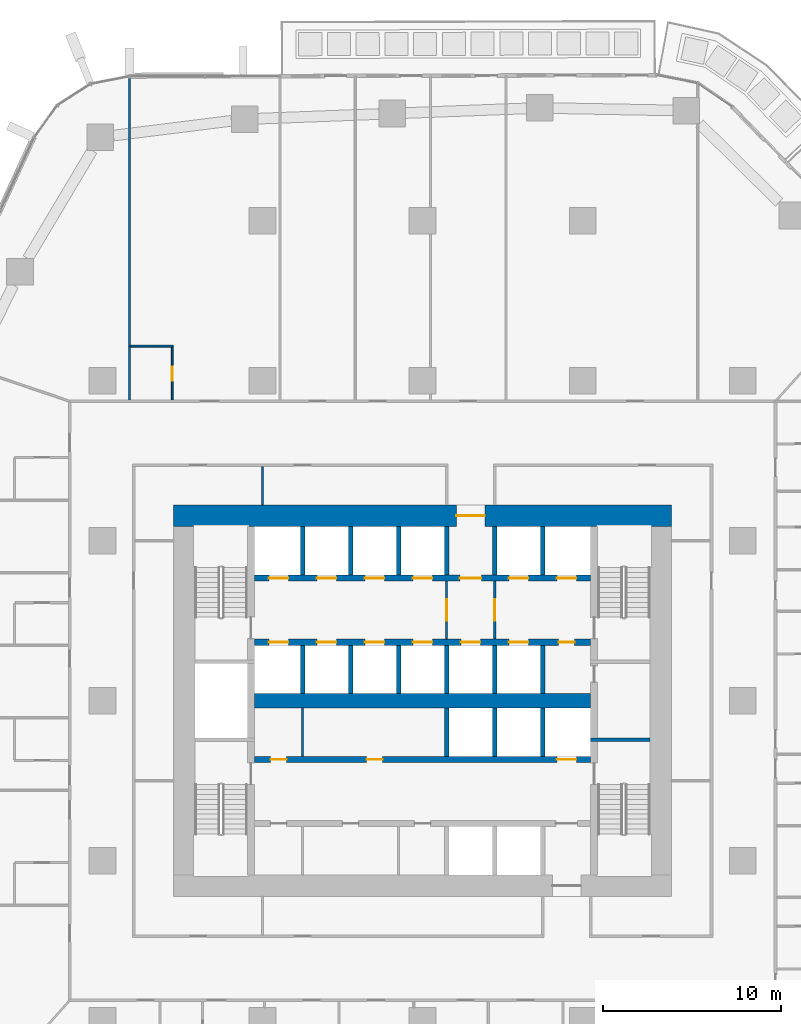
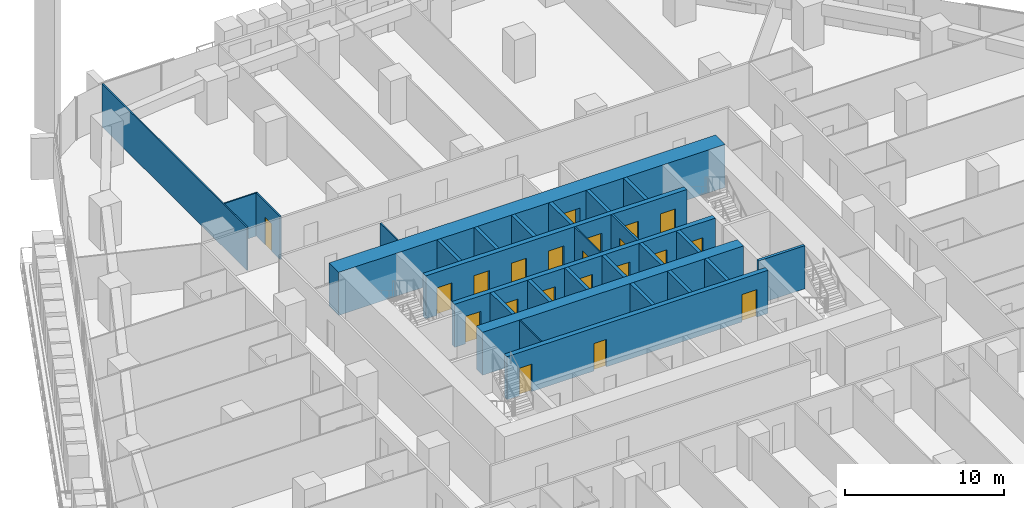
# One storey, part 16 of 27: 28 walls, 21 doors, 21 openings.
"""IFC4 building model written with IfcOpenShell, lengths in metres."""

from ifc_helpers import new_model, si_unit, direction, frame, frame_2d, origin, place, context, subcontext, project, spatial, rectangle, extrude, material, layer, layer_set, type_object, element, fill, save


model = new_model("IFC4")

# Units and contexts
model_context = context("Model", 3, precision=1e-05, world=origin(), true_north=direction((0.0, 1.0)))
body_context = subcontext(model_context, "Body", "Model", "MODEL_VIEW")
ifc_project = project(units=[si_unit("LENGTHUNIT", "METRE"), si_unit("AREAUNIT", "SQUARE_METRE"), si_unit("VOLUMEUNIT", "CUBIC_METRE"), si_unit("PLANEANGLEUNIT", "RADIAN"), si_unit("MASSUNIT", "GRAM", prefix="KILO")], contexts=[model_context])

# Site, building, storey
site_placement = place(None, origin())
site = spatial("IfcSite", under=ifc_project, at=site_placement, CompositionType="ELEMENT")
building_placement = place(site_placement, origin())
building = spatial("IfcBuilding", under=site, at=building_placement, Name="Dongbaek Canopy Tower", CompositionType="ELEMENT")
storey_placement = place(building_placement, frame((0.0, 0.0, 55.10009765625)))
storey = spatial("IfcBuildingStorey", under=building, at=storey_placement, Name="L09", CompositionType="ELEMENT", Elevation=55.10009765625)

# Wall
ifc_material_1 = material(Name="Concrete C60/75", Category="concrete")
ifc_layer_1 = layer(ifc_material_1, 0.800048828125)
ifc_layer_set_1 = layer_set([ifc_layer_1], Name="Core central wall 800 Concrete C60/75")
wall_type_1 = type_object("IfcWallType", Name="Core central wall 800 Concrete C60/75", PredefinedType="SHEAR", material=ifc_layer_set_1)
wall_1_placement = place(storey_placement, frame((-9.449951171875, 0.0, 0.0), z_axis=(0.0, 0.0, 1.0), x_axis=(1.0, 0.0, 0.0)))
element("IfcWall", 1, at=wall_1_placement, inside=storey, type_object=wall_type_1, Name="Core wall", PredefinedType="SHEAR", context=body_context, shape_type="SweptSolid", body=[
    extrude(rectangle(XDim=18.89990234375, YDim=0.800048828125, at=frame_2d((9.449951171875, 0.0))), origin(), (0.0, 0.0, 1.0), 3.2998046875),
])

# Wall, openings, doors
ifc_material_2 = material(Name="Concrete C60/75", Category="concrete")
ifc_layer_2 = layer(ifc_material_2, 0.35009765625)
ifc_layer_set_2 = layer_set([ifc_layer_2], Name="Core lobby wall 350 Concrete C60/75")
wall_type_2 = type_object("IfcWallType", Name="Core lobby wall 350 Concrete C60/75", PredefinedType="SHEAR", material=ifc_layer_set_2)
wall_2_placement = place(storey_placement, frame((-9.449951171875, 6.89990234375, 0.0), z_axis=(0.0, 0.0, 1.0), x_axis=(1.0, 0.0, 0.0)))
wall_2 = element("IfcWall", 2, at=wall_2_placement, inside=storey, type_object=wall_type_2, Name="Core wall", PredefinedType="SHEAR", context=body_context, shape_type="SweptSolid", body=[
    extrude(rectangle(XDim=18.89990234375, YDim=0.35009765625, at=frame_2d((9.449951171875, 0.0))), origin(), (0.0, 0.0, 1.0), 3.2998046875),
])
opening_1_placement = place(wall_2_placement, frame((0.800048828125, 0.0, 0.0)))
opening_1 = element("IfcOpeningElement", 3, at=opening_1_placement, cuts=wall_2, Name="Opening L09-D045", PredefinedType="OPENING", context=body_context, shape_type="SweptSolid", body=[
    extrude(rectangle(XDim=1.10009765625, YDim=2.10009765625, at=frame_2d((0.550048828125, 1.050048828125))), frame((0.0, 0.18505859375, 0.0), z_axis=(0.0, -1.0, 0.0), x_axis=(1.0, 0.0, 0.0)), (0.0, 0.0, 1.0), 0.3701171875),
])
opening_2_placement = place(wall_2_placement, frame((3.5, 0.0, 0.0)))
opening_2 = element("IfcOpeningElement", 4, at=opening_2_placement, cuts=wall_2, Name="Opening L09-D046", PredefinedType="OPENING", context=body_context, shape_type="SweptSolid", body=[
    extrude(rectangle(XDim=1.10009765625, YDim=2.10009765625, at=frame_2d((0.550048828125, 1.050048828125))), frame((0.0, 0.18505859375, 0.0), z_axis=(0.0, -1.0, 0.0), x_axis=(1.0, 0.0, 0.0)), (0.0, 0.0, 1.0), 0.3701171875),
])
opening_3_placement = place(wall_2_placement, frame((6.199951171875, 0.0, 0.0)))
opening_3 = element("IfcOpeningElement", 5, at=opening_3_placement, cuts=wall_2, Name="Opening L09-D047", PredefinedType="OPENING", context=body_context, shape_type="SweptSolid", body=[
    extrude(rectangle(XDim=1.10009765625, YDim=2.10009765625, at=frame_2d((0.550048828125, 1.050048828125))), frame((0.0, 0.18505859375, 0.0), z_axis=(0.0, -1.0, 0.0), x_axis=(1.0, 0.0, 0.0)), (0.0, 0.0, 1.0), 0.3701171875),
])
opening_4_placement = place(wall_2_placement, frame((8.89990234375, 0.0, 0.0)))
opening_4 = element("IfcOpeningElement", 6, at=opening_4_placement, cuts=wall_2, Name="Opening L09-D048", PredefinedType="OPENING", context=body_context, shape_type="SweptSolid", body=[
    extrude(rectangle(XDim=1.10009765625, YDim=2.10009765625, at=frame_2d((0.550048828125, 1.050048828125))), frame((0.0, 0.18505859375, 0.0), z_axis=(0.0, -1.0, 0.0), x_axis=(1.0, 0.0, 0.0)), (0.0, 0.0, 1.0), 0.3701171875),
])
opening_5_placement = place(wall_2_placement, frame((11.550048828125, 0.0, 0.0)))
opening_5 = element("IfcOpeningElement", 7, at=opening_5_placement, cuts=wall_2, Name="Opening L09-D050", PredefinedType="OPENING", context=body_context, shape_type="SweptSolid", body=[
    extrude(rectangle(XDim=1.199951171875, YDim=2.10009765625, at=frame_2d((0.60009765625, 1.050048828125))), frame((0.0, 0.18505859375, 0.0), z_axis=(0.0, -1.0, 0.0), x_axis=(1.0, 0.0, 0.0)), (0.0, 0.0, 1.0), 0.3701171875),
])
opening_6_placement = place(wall_2_placement, frame((14.300048828125, 0.0, 0.0)))
opening_6 = element("IfcOpeningElement", 8, at=opening_6_placement, cuts=wall_2, Name="Opening L09-D051", PredefinedType="OPENING", context=body_context, shape_type="SweptSolid", body=[
    extrude(rectangle(XDim=1.10009765625, YDim=2.10009765625, at=frame_2d((0.550048828125, 1.050048828125))), frame((0.0, 0.18505859375, 0.0), z_axis=(0.0, -1.0, 0.0), x_axis=(1.0, 0.0, 0.0)), (0.0, 0.0, 1.0), 0.3701171875),
])
opening_7_placement = place(wall_2_placement, frame((17.0, 0.0, 0.0)))
opening_7 = element("IfcOpeningElement", 9, at=opening_7_placement, cuts=wall_2, Name="Opening L09-D052", PredefinedType="OPENING", context=body_context, shape_type="SweptSolid", body=[
    extrude(rectangle(XDim=1.10009765625, YDim=2.10009765625, at=frame_2d((0.550048828125, 1.050048828125))), frame((0.0, 0.18505859375, 0.0), z_axis=(0.0, -1.0, 0.0), x_axis=(1.0, 0.0, 0.0)), (0.0, 0.0, 1.0), 0.3701171875),
])
ifc_material_3 = material(Name="Steel", Category="steel")
door_type_1 = type_object("IfcDoorType", Name="Fire lobby door 1200 x 2100", OperationType="SINGLE_SWING_LEFT", PredefinedType="DOOR", material=ifc_material_3)
door_1_placement = place(opening_5_placement, origin())
door_1 = element("IfcDoor", 10, at=door_1_placement, inside=storey, type_object=door_type_1, Name="Door L09-D050", OperationType="SINGLE_SWING_LEFT", OverallHeight=2.10009765625, OverallWidth=1.199951171875, PredefinedType="DOOR", context=body_context, shape_type="SweptSolid", body=[
    extrude(rectangle(XDim=1.199951171875, YDim=2.10009765625, at=frame_2d((0.60009765625, 1.050048828125))), frame((0.0, 0.02490234375, 0.0), z_axis=(0.0, -1.0, 0.0), x_axis=(1.0, 0.0, 0.0)), (0.0, 0.0, 1.0), 0.050048828125),
])
fill(opening_5, door_1)
ifc_material_4 = material(Name="Stainless steel", Category="steel")
door_type_2 = type_object("IfcDoorType", Name="Lift landing door 1100 x 2100", OperationType="DOUBLE_DOOR_SLIDING", PredefinedType="DOOR", material=ifc_material_4)
door_2_placement = place(opening_1_placement, origin())
door_2 = element("IfcDoor", 11, at=door_2_placement, inside=storey, type_object=door_type_2, Name="Landing door LR1", OperationType="DOUBLE_DOOR_SLIDING", OverallHeight=2.10009765625, OverallWidth=1.10009765625, PredefinedType="DOOR", context=body_context, shape_type="SweptSolid", body=[
    extrude(rectangle(XDim=1.10009765625, YDim=2.10009765625, at=frame_2d((0.550048828125, 1.050048828125))), frame((0.0, 0.02490234375, 0.0), z_axis=(0.0, -1.0, 0.0), x_axis=(1.0, 0.0, 0.0)), (0.0, 0.0, 1.0), 0.050048828125),
])
fill(opening_1, door_2)
door_3_placement = place(opening_2_placement, origin())
door_3 = element("IfcDoor", 12, at=door_3_placement, inside=storey, type_object=door_type_2, Name="Landing door LR2", OperationType="DOUBLE_DOOR_SLIDING", OverallHeight=2.10009765625, OverallWidth=1.10009765625, PredefinedType="DOOR", context=body_context, shape_type="SweptSolid", body=[
    extrude(rectangle(XDim=1.10009765625, YDim=2.10009765625, at=frame_2d((0.550048828125, 1.050048828125))), frame((0.0, 0.02490234375, 0.0), z_axis=(0.0, -1.0, 0.0), x_axis=(1.0, 0.0, 0.0)), (0.0, 0.0, 1.0), 0.050048828125),
])
fill(opening_2, door_3)
door_4_placement = place(opening_3_placement, origin())
door_4 = element("IfcDoor", 13, at=door_4_placement, inside=storey, type_object=door_type_2, Name="Landing door LR3", OperationType="DOUBLE_DOOR_SLIDING", OverallHeight=2.10009765625, OverallWidth=1.10009765625, PredefinedType="DOOR", context=body_context, shape_type="SweptSolid", body=[
    extrude(rectangle(XDim=1.10009765625, YDim=2.10009765625, at=frame_2d((0.550048828125, 1.050048828125))), frame((0.0, 0.02490234375, 0.0), z_axis=(0.0, -1.0, 0.0), x_axis=(1.0, 0.0, 0.0)), (0.0, 0.0, 1.0), 0.050048828125),
])
fill(opening_3, door_4)
door_5_placement = place(opening_4_placement, origin())
door_5 = element("IfcDoor", 14, at=door_5_placement, inside=storey, type_object=door_type_2, Name="Landing door LR4", OperationType="DOUBLE_DOOR_SLIDING", OverallHeight=2.10009765625, OverallWidth=1.10009765625, PredefinedType="DOOR", context=body_context, shape_type="SweptSolid", body=[
    extrude(rectangle(XDim=1.10009765625, YDim=2.10009765625, at=frame_2d((0.550048828125, 1.050048828125))), frame((0.0, 0.02490234375, 0.0), z_axis=(0.0, -1.0, 0.0), x_axis=(1.0, 0.0, 0.0)), (0.0, 0.0, 1.0), 0.050048828125),
])
fill(opening_4, door_5)
door_6_placement = place(opening_6_placement, origin())
door_6 = element("IfcDoor", 15, at=door_6_placement, inside=storey, type_object=door_type_2, Name="Landing door FF1", OperationType="DOUBLE_DOOR_SLIDING", OverallHeight=2.10009765625, OverallWidth=1.10009765625, PredefinedType="DOOR", context=body_context, shape_type="SweptSolid", body=[
    extrude(rectangle(XDim=1.10009765625, YDim=2.10009765625, at=frame_2d((0.550048828125, 1.050048828125))), frame((0.0, 0.02490234375, 0.0), z_axis=(0.0, -1.0, 0.0), x_axis=(1.0, 0.0, 0.0)), (0.0, 0.0, 1.0), 0.050048828125),
])
fill(opening_6, door_6)
door_7_placement = place(opening_7_placement, origin())
door_7 = element("IfcDoor", 16, at=door_7_placement, inside=storey, type_object=door_type_2, Name="Landing door FF2", OperationType="DOUBLE_DOOR_SLIDING", OverallHeight=2.10009765625, OverallWidth=1.10009765625, PredefinedType="DOOR", context=body_context, shape_type="SweptSolid", body=[
    extrude(rectangle(XDim=1.10009765625, YDim=2.10009765625, at=frame_2d((0.550048828125, 1.050048828125))), frame((0.0, 0.02490234375, 0.0), z_axis=(0.0, -1.0, 0.0), x_axis=(1.0, 0.0, 0.0)), (0.0, 0.0, 1.0), 0.050048828125),
])
fill(opening_7, door_7)

wall_3_placement = place(storey_placement, frame((9.449951171875, 3.300048828125, 0.0), z_axis=(0.0, 0.0, 1.0), x_axis=(-1.0, 0.0, 0.0)))
wall_3 = element("IfcWall", 17, at=wall_3_placement, inside=storey, type_object=wall_type_2, Name="Core wall", PredefinedType="SHEAR", context=body_context, shape_type="SweptSolid", body=[
    extrude(rectangle(XDim=18.89990234375, YDim=0.35009765625, at=frame_2d((9.449951171875, 0.0))), origin(), (0.0, 0.0, 1.0), 3.2998046875),
])
opening_8_placement = place(wall_3_placement, frame((17.0, 0.0, 0.0)))
opening_8 = element("IfcOpeningElement", 18, at=opening_8_placement, cuts=wall_3, Name="Opening L09-D053", PredefinedType="OPENING", context=body_context, shape_type="SweptSolid", body=[
    extrude(rectangle(XDim=1.10009765625, YDim=2.10009765625, at=frame_2d((0.550048828125, 1.050048828125))), frame((0.0, 0.18505859375, 0.0), z_axis=(0.0, -1.0, 0.0), x_axis=(1.0, 0.0, 0.0)), (0.0, 0.0, 1.0), 0.3701171875),
])
opening_9_placement = place(wall_3_placement, frame((14.300048828125, 0.0, 0.0)))
opening_9 = element("IfcOpeningElement", 19, at=opening_9_placement, cuts=wall_3, Name="Opening L09-D054", PredefinedType="OPENING", context=body_context, shape_type="SweptSolid", body=[
    extrude(rectangle(XDim=1.10009765625, YDim=2.10009765625, at=frame_2d((0.550048828125, 1.050048828125))), frame((0.0, 0.18505859375, 0.0), z_axis=(0.0, -1.0, 0.0), x_axis=(1.0, 0.0, 0.0)), (0.0, 0.0, 1.0), 0.3701171875),
])
opening_10_placement = place(wall_3_placement, frame((11.60009765625, 0.0, 0.0)))
opening_10 = element("IfcOpeningElement", 20, at=opening_10_placement, cuts=wall_3, Name="Opening L09-D055", PredefinedType="OPENING", context=body_context, shape_type="SweptSolid", body=[
    extrude(rectangle(XDim=1.10009765625, YDim=2.10009765625, at=frame_2d((0.550048828125, 1.050048828125))), frame((0.0, 0.18505859375, 0.0), z_axis=(0.0, -1.0, 0.0), x_axis=(1.0, 0.0, 0.0)), (0.0, 0.0, 1.0), 0.3701171875),
])
opening_11_placement = place(wall_3_placement, frame((8.89990234375, 0.0, 0.0)))
opening_11 = element("IfcOpeningElement", 21, at=opening_11_placement, cuts=wall_3, Name="Opening L09-D056", PredefinedType="OPENING", context=body_context, shape_type="SweptSolid", body=[
    extrude(rectangle(XDim=1.10009765625, YDim=2.10009765625, at=frame_2d((0.550048828125, 1.050048828125))), frame((0.0, 0.18505859375, 0.0), z_axis=(0.0, -1.0, 0.0), x_axis=(1.0, 0.0, 0.0)), (0.0, 0.0, 1.0), 0.3701171875),
])
opening_12_placement = place(wall_3_placement, frame((6.199951171875, 0.0, 0.0)))
opening_12 = element("IfcOpeningElement", 22, at=opening_12_placement, cuts=wall_3, Name="Opening L09-D057", PredefinedType="OPENING", context=body_context, shape_type="SweptSolid", body=[
    extrude(rectangle(XDim=1.10009765625, YDim=2.10009765625, at=frame_2d((0.550048828125, 1.050048828125))), frame((0.0, 0.18505859375, 0.0), z_axis=(0.0, -1.0, 0.0), x_axis=(1.0, 0.0, 0.0)), (0.0, 0.0, 1.0), 0.3701171875),
])
opening_13_placement = place(wall_3_placement, frame((3.5, 0.0, 0.0)))
opening_13 = element("IfcOpeningElement", 23, at=opening_13_placement, cuts=wall_3, Name="Opening L09-D058", PredefinedType="OPENING", context=body_context, shape_type="SweptSolid", body=[
    extrude(rectangle(XDim=1.10009765625, YDim=2.10009765625, at=frame_2d((0.550048828125, 1.050048828125))), frame((0.0, 0.18505859375, 0.0), z_axis=(0.0, -1.0, 0.0), x_axis=(1.0, 0.0, 0.0)), (0.0, 0.0, 1.0), 0.3701171875),
])
opening_14_placement = place(wall_3_placement, frame((0.89990234375, 0.0, 0.0)))
opening_14 = element("IfcOpeningElement", 24, at=opening_14_placement, cuts=wall_3, Name="Opening L09-D059", PredefinedType="OPENING", context=body_context, shape_type="SweptSolid", body=[
    extrude(rectangle(XDim=0.89990234375, YDim=2.10009765625, at=frame_2d((0.449951171875, 1.050048828125))), frame((0.0, 0.18505859375, 0.0), z_axis=(0.0, -1.0, 0.0), x_axis=(1.0, 0.0, 0.0)), (0.0, 0.0, 1.0), 0.3701171875),
])
ifc_material_5 = material(Name="Steel", Category="steel")
door_type_3 = type_object("IfcDoorType", Name="Core room door 900 x 2100", OperationType="SINGLE_SWING_LEFT", PredefinedType="DOOR", material=ifc_material_5)
door_8_placement = place(opening_14_placement, origin())
door_8 = element("IfcDoor", 25, at=door_8_placement, inside=storey, type_object=door_type_3, Name="Door L09-D059", OperationType="SINGLE_SWING_LEFT", OverallHeight=2.10009765625, OverallWidth=0.89990234375, PredefinedType="DOOR", context=body_context, shape_type="SweptSolid", body=[
    extrude(rectangle(XDim=0.89990234375, YDim=2.10009765625, at=frame_2d((0.449951171875, 1.050048828125))), frame((0.0, 0.02490234375, 0.0), z_axis=(0.0, -1.0, 0.0), x_axis=(1.0, 0.0, 0.0)), (0.0, 0.0, 1.0), 0.050048828125),
])
fill(opening_14, door_8)
door_9_placement = place(opening_8_placement, origin())
door_9 = element("IfcDoor", 26, at=door_9_placement, inside=storey, type_object=door_type_2, Name="Landing door LR5", OperationType="DOUBLE_DOOR_SLIDING", OverallHeight=2.10009765625, OverallWidth=1.10009765625, PredefinedType="DOOR", context=body_context, shape_type="SweptSolid", body=[
    extrude(rectangle(XDim=1.10009765625, YDim=2.10009765625, at=frame_2d((0.550048828125, 1.050048828125))), frame((0.0, 0.02490234375, 0.0), z_axis=(0.0, -1.0, 0.0), x_axis=(1.0, 0.0, 0.0)), (0.0, 0.0, 1.0), 0.050048828125),
])
fill(opening_8, door_9)
door_10_placement = place(opening_9_placement, origin())
door_10 = element("IfcDoor", 27, at=door_10_placement, inside=storey, type_object=door_type_2, Name="Landing door LR6", OperationType="DOUBLE_DOOR_SLIDING", OverallHeight=2.10009765625, OverallWidth=1.10009765625, PredefinedType="DOOR", context=body_context, shape_type="SweptSolid", body=[
    extrude(rectangle(XDim=1.10009765625, YDim=2.10009765625, at=frame_2d((0.550048828125, 1.050048828125))), frame((0.0, 0.02490234375, 0.0), z_axis=(0.0, -1.0, 0.0), x_axis=(1.0, 0.0, 0.0)), (0.0, 0.0, 1.0), 0.050048828125),
])
fill(opening_9, door_10)
door_11_placement = place(opening_10_placement, origin())
door_11 = element("IfcDoor", 28, at=door_11_placement, inside=storey, type_object=door_type_2, Name="Landing door LR7", OperationType="DOUBLE_DOOR_SLIDING", OverallHeight=2.10009765625, OverallWidth=1.10009765625, PredefinedType="DOOR", context=body_context, shape_type="SweptSolid", body=[
    extrude(rectangle(XDim=1.10009765625, YDim=2.10009765625, at=frame_2d((0.550048828125, 1.050048828125))), frame((0.0, 0.02490234375, 0.0), z_axis=(0.0, -1.0, 0.0), x_axis=(1.0, 0.0, 0.0)), (0.0, 0.0, 1.0), 0.050048828125),
])
fill(opening_10, door_11)
door_12_placement = place(opening_11_placement, origin())
door_12 = element("IfcDoor", 29, at=door_12_placement, inside=storey, type_object=door_type_2, Name="Landing door LR8", OperationType="DOUBLE_DOOR_SLIDING", OverallHeight=2.10009765625, OverallWidth=1.10009765625, PredefinedType="DOOR", context=body_context, shape_type="SweptSolid", body=[
    extrude(rectangle(XDim=1.10009765625, YDim=2.10009765625, at=frame_2d((0.550048828125, 1.050048828125))), frame((0.0, 0.02490234375, 0.0), z_axis=(0.0, -1.0, 0.0), x_axis=(1.0, 0.0, 0.0)), (0.0, 0.0, 1.0), 0.050048828125),
])
fill(opening_11, door_12)
door_13_placement = place(opening_12_placement, origin())
door_13 = element("IfcDoor", 30, at=door_13_placement, inside=storey, type_object=door_type_2, Name="Landing door SV1", OperationType="DOUBLE_DOOR_SLIDING", OverallHeight=2.10009765625, OverallWidth=1.10009765625, PredefinedType="DOOR", context=body_context, shape_type="SweptSolid", body=[
    extrude(rectangle(XDim=1.10009765625, YDim=2.10009765625, at=frame_2d((0.550048828125, 1.050048828125))), frame((0.0, 0.02490234375, 0.0), z_axis=(0.0, -1.0, 0.0), x_axis=(1.0, 0.0, 0.0)), (0.0, 0.0, 1.0), 0.050048828125),
])
fill(opening_12, door_13)
door_14_placement = place(opening_13_placement, origin())
door_14 = element("IfcDoor", 31, at=door_14_placement, inside=storey, type_object=door_type_2, Name="Landing door FF3", OperationType="DOUBLE_DOOR_SLIDING", OverallHeight=2.10009765625, OverallWidth=1.10009765625, PredefinedType="DOOR", context=body_context, shape_type="SweptSolid", body=[
    extrude(rectangle(XDim=1.10009765625, YDim=2.10009765625, at=frame_2d((0.550048828125, 1.050048828125))), frame((0.0, 0.02490234375, 0.0), z_axis=(0.0, -1.0, 0.0), x_axis=(1.0, 0.0, 0.0)), (0.0, 0.0, 1.0), 0.050048828125),
])
fill(opening_13, door_14)

wall_4_placement = place(storey_placement, frame((-9.449951171875, -3.300048828125, 0.0), z_axis=(0.0, 0.0, 1.0), x_axis=(1.0, 0.0, 0.0)))
wall_4 = element("IfcWall", 32, at=wall_4_placement, inside=storey, type_object=wall_type_2, Name="Core wall", PredefinedType="SHEAR", context=body_context, shape_type="SweptSolid", body=[
    extrude(rectangle(XDim=18.89990234375, YDim=0.35009765625, at=frame_2d((9.449951171875, 0.0))), origin(), (0.0, 0.0, 1.0), 3.2998046875),
])
opening_15_placement = place(wall_4_placement, frame((17.0, 0.0, 0.0)))
opening_15 = element("IfcOpeningElement", 33, at=opening_15_placement, cuts=wall_4, Name="Opening L09-D060", PredefinedType="OPENING", context=body_context, shape_type="SweptSolid", body=[
    extrude(rectangle(XDim=1.10009765625, YDim=2.10009765625, at=frame_2d((0.550048828125, 1.050048828125))), frame((0.0, 0.18505859375, 0.0), z_axis=(0.0, -1.0, 0.0), x_axis=(1.0, 0.0, 0.0)), (0.0, 0.0, 1.0), 0.3701171875),
])
opening_16_placement = place(wall_4_placement, frame((0.89990234375, 0.0, 0.0)))
opening_16 = element("IfcOpeningElement", 34, at=opening_16_placement, cuts=wall_4, Name="Opening L09-D063", PredefinedType="OPENING", context=body_context, shape_type="SweptSolid", body=[
    extrude(rectangle(XDim=0.89990234375, YDim=2.10009765625, at=frame_2d((0.449951171875, 1.050048828125))), frame((0.0, 0.18505859375, 0.0), z_axis=(0.0, -1.0, 0.0), x_axis=(1.0, 0.0, 0.0)), (0.0, 0.0, 1.0), 0.3701171875),
])
opening_17_placement = place(wall_4_placement, frame((6.300048828125, 0.0, 0.0)))
opening_17 = element("IfcOpeningElement", 35, at=opening_17_placement, cuts=wall_4, Name="Opening L09-D064", PredefinedType="OPENING", context=body_context, shape_type="SweptSolid", body=[
    extrude(rectangle(XDim=0.89990234375, YDim=2.10009765625, at=frame_2d((0.449951171875, 1.050048828125))), frame((0.0, 0.18505859375, 0.0), z_axis=(0.0, -1.0, 0.0), x_axis=(1.0, 0.0, 0.0)), (0.0, 0.0, 1.0), 0.3701171875),
])
door_15_placement = place(opening_16_placement, origin())
door_15 = element("IfcDoor", 36, at=door_15_placement, inside=storey, type_object=door_type_3, Name="Door L09-D063", OperationType="SINGLE_SWING_RIGHT", OverallHeight=2.10009765625, OverallWidth=0.89990234375, PredefinedType="DOOR", context=body_context, shape_type="SweptSolid", body=[
    extrude(rectangle(XDim=0.89990234375, YDim=2.10009765625, at=frame_2d((0.449951171875, 1.050048828125))), frame((0.0, 0.02490234375, 0.0), z_axis=(0.0, -1.0, 0.0), x_axis=(1.0, 0.0, 0.0)), (0.0, 0.0, 1.0), 0.050048828125),
])
fill(opening_16, door_15)
door_16_placement = place(opening_17_placement, origin())
door_16 = element("IfcDoor", 37, at=door_16_placement, inside=storey, type_object=door_type_3, Name="Door L09-D064", OperationType="SINGLE_SWING_LEFT", OverallHeight=2.10009765625, OverallWidth=0.89990234375, PredefinedType="DOOR", context=body_context, shape_type="SweptSolid", body=[
    extrude(rectangle(XDim=0.89990234375, YDim=2.10009765625, at=frame_2d((0.449951171875, 1.050048828125))), frame((0.0, 0.02490234375, 0.0), z_axis=(0.0, -1.0, 0.0), x_axis=(1.0, 0.0, 0.0)), (0.0, 0.0, 1.0), 0.050048828125),
])
fill(opening_17, door_16)
door_17_placement = place(opening_15_placement, origin())
door_17 = element("IfcDoor", 38, at=door_17_placement, inside=storey, type_object=door_type_2, Name="Landing door SV2", OperationType="DOUBLE_DOOR_SLIDING", OverallHeight=2.10009765625, OverallWidth=1.10009765625, PredefinedType="DOOR", context=body_context, shape_type="SweptSolid", body=[
    extrude(rectangle(XDim=1.10009765625, YDim=2.10009765625, at=frame_2d((0.550048828125, 1.050048828125))), frame((0.0, 0.02490234375, 0.0), z_axis=(0.0, -1.0, 0.0), x_axis=(1.0, 0.0, 0.0)), (0.0, 0.0, 1.0), 0.050048828125),
])
fill(opening_15, door_17)

# Wall, opening, door
ifc_material_6 = material(Name="Concrete C60/75", Category="concrete")
ifc_layer_3 = layer(ifc_material_6, 1.199951171875)
ifc_layer_set_3 = layer_set([ifc_layer_3], Name="Core outer wall 1200 Concrete C60/75")
wall_type_3 = type_object("IfcWallType", Name="Core outer wall 1200 Concrete C60/75", PredefinedType="SHEAR", material=ifc_layer_set_3)
wall_5_placement = place(storey_placement, frame((-14.0, 10.39990234375, 0.0), z_axis=(0.0, 0.0, 1.0), x_axis=(1.0, 0.0, 0.0)))
wall_5 = element("IfcWall", 39, at=wall_5_placement, inside=storey, type_object=wall_type_3, Name="Core wall", PredefinedType="SHEAR", context=body_context, shape_type="SweptSolid", body=[
    extrude(rectangle(XDim=28.0, YDim=1.199951171875, at=frame_2d((14.0, 0.0))), origin(), (0.0, 0.0, 1.0), 3.2998046875),
])
opening_18_placement = place(wall_5_placement, frame((15.89990234375, 0.0, 0.0)))
opening_18 = element("IfcOpeningElement", 40, at=opening_18_placement, cuts=wall_5, Name="Opening L09-D049", PredefinedType="OPENING", context=body_context, shape_type="SweptSolid", body=[
    extrude(rectangle(XDim=1.60009765625, YDim=2.10009765625, at=frame_2d((0.800048828125, 1.050048828125))), frame((0.0, 0.60986328125, 0.0), z_axis=(0.0, -1.0, 0.0), x_axis=(1.0, 0.0, 0.0)), (0.0, 0.0, 1.0), 1.219970703125),
])
ifc_material_7 = material(Name="Steel", Category="steel")
door_type_4 = type_object("IfcDoorType", Name="Core exit door 1600 x 2100", OperationType="DOUBLE_DOOR_SINGLE_SWING", PredefinedType="DOOR", material=ifc_material_7)
door_18_placement = place(opening_18_placement, origin())
door_18 = element("IfcDoor", 41, at=door_18_placement, inside=storey, type_object=door_type_4, Name="Core exit door", OperationType="DOUBLE_DOOR_SINGLE_SWING", OverallHeight=2.10009765625, OverallWidth=1.60009765625, PredefinedType="DOOR", context=body_context, shape_type="SweptSolid", body=[
    extrude(rectangle(XDim=1.60009765625, YDim=2.10009765625, at=frame_2d((0.800048828125, 1.050048828125))), frame((0.0, 0.02490234375, 0.0), z_axis=(0.0, -1.0, 0.0), x_axis=(1.0, 0.0, 0.0)), (0.0, 0.0, 1.0), 0.050048828125),
])
fill(opening_18, door_18)

ifc_material_8 = material(Name="Gypsum board partition, steel stud, 2 x 15 mm fire board", Category="steel")
ifc_layer_4 = layer(ifc_material_8, 0.14990234375)
ifc_layer_set_4 = layer_set([ifc_layer_4], Name="Fire-rated partition 150 gypsum board")
wall_type_4 = type_object("IfcWallType", Name="Fire-rated partition 150 gypsum board", PredefinedType="PARTITIONING", material=ifc_layer_set_4)
wall_6_placement = place(storey_placement, frame((4.050048828125, 6.72509765625, 0.0), z_axis=(0.0, 0.0, 1.0), x_axis=(0.0, -1.0, 0.0)))
wall_6 = element("IfcWall", 42, at=wall_6_placement, inside=storey, type_object=wall_type_4, Name="Fire lobby partition", PredefinedType="PARTITIONING", context=body_context, shape_type="SweptSolid", body=[
    extrude(rectangle(XDim=3.25, YDim=0.14990234375, at=frame_2d((1.625, 0.0))), origin(), (0.0, 0.0, 1.0), 3.2998046875),
])
opening_19_placement = place(wall_6_placement, frame((1.02490234375, 0.0, 0.0)))
opening_19 = element("IfcOpeningElement", 43, at=opening_19_placement, cuts=wall_6, Name="Opening L09-D073", PredefinedType="OPENING", context=body_context, shape_type="SweptSolid", body=[
    extrude(rectangle(XDim=1.199951171875, YDim=2.10009765625, at=frame_2d((0.60009765625, 1.050048828125))), frame((0.0, 0.0849609375, 0.0), z_axis=(0.0, -1.0, 0.0), x_axis=(1.0, 0.0, 0.0)), (0.0, 0.0, 1.0), 0.169921875),
])
door_19_placement = place(opening_19_placement, origin())
door_19 = element("IfcDoor", 44, at=door_19_placement, inside=storey, type_object=door_type_1, Name="Door L09-D073", OperationType="SINGLE_SWING_RIGHT", OverallHeight=2.10009765625, OverallWidth=1.199951171875, PredefinedType="DOOR", context=body_context, shape_type="SweptSolid", body=[
    extrude(rectangle(XDim=1.199951171875, YDim=2.10009765625, at=frame_2d((0.60009765625, 1.050048828125))), frame((0.0, 0.02490234375, 0.0), z_axis=(0.0, -1.0, 0.0), x_axis=(1.0, 0.0, 0.0)), (0.0, 0.0, 1.0), 0.050048828125),
])
fill(opening_19, door_19)

# Walls
ifc_material_9 = material(Name="Concrete C40/50", Category="concrete")
ifc_layer_5 = layer(ifc_material_9, 0.25)
ifc_layer_set_5 = layer_set([ifc_layer_5], Name="Lift shaft wall 250 Concrete C40/50")
wall_type_5 = type_object("IfcWallType", Name="Lift shaft wall 250 Concrete C40/50", PredefinedType="SOLIDWALL", material=ifc_layer_set_5)
for number, where, z_axis, x_axis, name in (
    (45, (6.75, -3.125, 0.0), (0.0, 0.0, 1.0), (0.0, 1.0, 0.0), "Lift shaft wall"),
    (46, (6.75, 0.39990234375, 0.0), (0.0, 0.0, 1.0), (0.0, 1.0, 0.0), "Lift shaft wall"),
    (47, (6.75, 7.074951171875, 0.0), (0.0, 0.0, 1.0), (0.0, 1.0, 0.0), "Lift shaft wall"),
    (48, (4.050048828125, -3.125, 0.0), (0.0, 0.0, 1.0), (0.0, 1.0, 0.0), "Lift shaft wall"),
    (49, (4.050048828125, 0.39990234375, 0.0), (0.0, 0.0, 1.0), (0.0, 1.0, 0.0), "Lift shaft wall"),
    (50, (4.050048828125, 7.074951171875, 0.0), (0.0, 0.0, 1.0), (0.0, 1.0, 0.0), "Lift shaft wall"),
    (51, (1.35009765625, -3.125, 0.0), (0.0, 0.0, 1.0), (0.0, 1.0, 0.0), "Lift shaft wall"),
    (52, (1.35009765625, 0.39990234375, 0.0), (0.0, 0.0, 1.0), (0.0, 1.0, 0.0), "Lift shaft wall"),
    (53, (1.35009765625, 7.074951171875, 0.0), (0.0, 0.0, 1.0), (0.0, 1.0, 0.0), "Lift shaft wall"),
    (54, (-1.35009765625, 0.39990234375, 0.0), (0.0, 0.0, 1.0), (0.0, 1.0, 0.0), "Lift shaft wall"),
    (55, (-1.35009765625, 7.074951171875, 0.0), (0.0, 0.0, 1.0), (0.0, 1.0, 0.0), "Lift shaft wall"),
    (56, (-4.050048828125, 0.39990234375, 0.0), (0.0, 0.0, 1.0), (0.0, 1.0, 0.0), "Lift shaft wall"),
    (57, (-4.050048828125, 7.074951171875, 0.0), (0.0, 0.0, 1.0), (0.0, 1.0, 0.0), "Lift shaft wall"),
    (58, (-6.75, 0.39990234375, 0.0), (0.0, 0.0, 1.0), (0.0, 1.0, 0.0), "Lift shaft wall"),
    (59, (-6.75, 7.074951171875, 0.0), (0.0, 0.0, 1.0), (0.0, 1.0, 0.0), "Lift shaft wall"),
):
    element("IfcWall", number, at=place(storey_placement, frame(where, z_axis=z_axis, x_axis=x_axis)), inside=storey, type_object=wall_type_5, Name=name, PredefinedType="SOLIDWALL", context=body_context, shape_type="SweptSolid", body=[
        extrude(rectangle(XDim=2.72509765625, YDim=0.25, at=frame_2d((1.362548828125, 0.0))), origin(), (0.0, 0.0, 1.0), 3.2998046875),
    ])
ifc_material_10 = material(Name="Gypsum board partition, steel stud, 2 x 12.5 mm board", Category="steel")
ifc_layer_6 = layer(ifc_material_10, 0.10009765625)
ifc_layer_set_6 = layer_set([ifc_layer_6], Name="Partition 100 gypsum board")
wall_type_6 = type_object("IfcWallType", Name="Partition 100 gypsum board", PredefinedType="PARTITIONING", material=ifc_layer_set_6)
wall_7_placement = place(storey_placement, frame((-16.43603515625, 19.949951171875, 0.0), z_axis=(0.0, 0.0, 1.0), x_axis=(1.0, 0.0, 0.0)))
element("IfcWall", 60, at=wall_7_placement, inside=storey, type_object=wall_type_6, Name="Partition", PredefinedType="PARTITIONING", context=body_context, shape_type="SweptSolid", body=[
    extrude(rectangle(XDim=2.400146484375, YDim=0.10009765625, at=frame_2d((1.2001953125, 0.0))), origin(), (0.0, 0.0, 1.0), 3.2998046875),
])
wall_8_placement = place(storey_placement, frame((-9.0, 11.0, 0.0), z_axis=(0.0, 0.0, 1.0), x_axis=(0.0, 1.0, 0.0)))
element("IfcWall", 61, at=wall_8_placement, inside=storey, type_object=wall_type_6, Name="Partition", PredefinedType="PARTITIONING", context=body_context, shape_type="SweptSolid", body=[
    extrude(rectangle(XDim=2.175048828125, YDim=0.10009765625, at=frame_2d((1.08740234375, 0.0))), origin(), (0.0, 0.0, 1.0), 3.2998046875),
])

# Wall, opening, door
wall_9_placement = place(storey_placement, frame((-14.0859375, 16.925048828125, 0.0), z_axis=(0.0, 0.0, 1.0), x_axis=(0.0, 1.0, 0.0)))
wall_9 = element("IfcWall", 62, at=wall_9_placement, inside=storey, type_object=wall_type_6, Name="Partition", PredefinedType="PARTITIONING", context=body_context, shape_type="SweptSolid", body=[
    extrude(rectangle(XDim=2.974853515625, YDim=0.10009765625, at=frame_2d((1.4873046875, 0.0))), origin(), (0.0, 0.0, 1.0), 3.2998046875),
])
opening_20_placement = place(wall_9_placement, frame((1.074951171875, 0.0, 0.0)))
opening_20 = element("IfcOpeningElement", 63, at=opening_20_placement, cuts=wall_9, Name="Opening L09-D029", PredefinedType="OPENING", context=body_context, shape_type="SweptSolid", body=[
    extrude(rectangle(XDim=0.800048828125, YDim=2.10009765625, at=frame_2d((0.39990234375, 1.050048828125))), frame((0.0, 0.06005859375, 0.0), z_axis=(0.0, -1.0, 0.0), x_axis=(1.0, 0.0, 0.0)), (0.0, 0.0, 1.0), 0.1201171875),
])
ifc_material_11 = material(Name="Timber veneered door leaf", Category="wood")
door_type_5 = type_object("IfcDoorType", Name="En-suite door 800 x 2100", OperationType="SINGLE_SWING_LEFT", PredefinedType="DOOR", material=ifc_material_11)
door_20_placement = place(opening_20_placement, origin())
door_20 = element("IfcDoor", 64, at=door_20_placement, inside=storey, type_object=door_type_5, Name="Door L09-D029", OperationType="SINGLE_SWING_RIGHT", OverallHeight=2.10009765625, OverallWidth=0.800048828125, PredefinedType="DOOR", context=body_context, shape_type="SweptSolid", body=[
    extrude(rectangle(XDim=0.800048828125, YDim=2.10009765625, at=frame_2d((0.39990234375, 1.050048828125))), frame((0.0, 0.02490234375, 0.0), z_axis=(0.0, -1.0, 0.0), x_axis=(1.0, 0.0, 0.0)), (0.0, 0.0, 1.0), 0.050048828125),
])
fill(opening_20, door_20)

# Wall
wall_10_placement = place(storey_placement, frame((-16.486083984375, 16.925048828125, 0.0), z_axis=(0.0, 0.0, 1.0), x_axis=(0.0, 1.0, 0.0)))
element("IfcWall", 65, at=wall_10_placement, inside=storey, type_object=wall_type_6, Name="Partition", PredefinedType="PARTITIONING", context=body_context, shape_type="SweptSolid", body=[
    extrude(rectangle(XDim=18.168212890625, YDim=0.10009765625, at=frame_2d((9.083984375, 0.0))), origin(), (0.0, 0.0, 1.0), 3.2998046875),
])

# Wall, opening, door
wall_11_placement = place(storey_placement, frame((1.35009765625, 6.72509765625, 0.0), z_axis=(0.0, 0.0, 1.0), x_axis=(0.0, -1.0, 0.0)))
wall_11 = element("IfcWall", 66, at=wall_11_placement, inside=storey, type_object=wall_type_6, Name="Core partition", PredefinedType="PARTITIONING", context=body_context, shape_type="SweptSolid", body=[
    extrude(rectangle(XDim=3.25, YDim=0.10009765625, at=frame_2d((1.625, 0.0))), origin(), (0.0, 0.0, 1.0), 3.2998046875),
])
opening_21_placement = place(wall_11_placement, frame((1.02490234375, 0.0, 0.0)))
opening_21 = element("IfcOpeningElement", 67, at=opening_21_placement, cuts=wall_11, Name="Opening L09-D072", PredefinedType="OPENING", context=body_context, shape_type="SweptSolid", body=[
    extrude(rectangle(XDim=1.199951171875, YDim=2.10009765625, at=frame_2d((0.60009765625, 1.050048828125))), frame((0.0, 0.06005859375, 0.0), z_axis=(0.0, -1.0, 0.0), x_axis=(1.0, 0.0, 0.0)), (0.0, 0.0, 1.0), 0.1201171875),
])
door_21_placement = place(opening_21_placement, origin())
door_21 = element("IfcDoor", 68, at=door_21_placement, inside=storey, type_object=door_type_1, Name="Door L09-D072", OperationType="SINGLE_SWING_LEFT", OverallHeight=2.10009765625, OverallWidth=1.199951171875, PredefinedType="DOOR", context=body_context, shape_type="SweptSolid", body=[
    extrude(rectangle(XDim=1.199951171875, YDim=2.10009765625, at=frame_2d((0.60009765625, 1.050048828125))), frame((0.0, 0.02490234375, 0.0), z_axis=(0.0, -1.0, 0.0), x_axis=(1.0, 0.0, 0.0)), (0.0, 0.0, 1.0), 0.050048828125),
])
fill(opening_21, door_21)

# Walls
wall_12_placement = place(storey_placement, frame((-6.75, -3.125, 0.0), z_axis=(0.0, 0.0, 1.0), x_axis=(0.0, 1.0, 0.0)))
element("IfcWall", 69, at=wall_12_placement, inside=storey, type_object=wall_type_6, Name="Core partition", PredefinedType="PARTITIONING", context=body_context, shape_type="SweptSolid", body=[
    extrude(rectangle(XDim=2.72509765625, YDim=0.10009765625, at=frame_2d((1.362548828125, 0.0))), origin(), (0.0, 0.0, 1.0), 3.2998046875),
])
ifc_material_12 = material(Name="Concrete C60/75", Category="concrete")
ifc_layer_7 = layer(ifc_material_12, 0.199951171875)
ifc_layer_set_7 = layer_set([ifc_layer_7], Name="Riser wall 200 Concrete C60/75")
wall_type_7 = type_object("IfcWallType", Name="Riser wall 200 Concrete C60/75", PredefinedType="SHEAR", material=ifc_layer_set_7)
wall_13_placement = place(storey_placement, frame((9.449951171875, -2.199951171875, 0.0), z_axis=(0.0, 0.0, 1.0), x_axis=(1.0, 0.0, 0.0)))
element("IfcWall", 70, at=wall_13_placement, inside=storey, type_object=wall_type_7, Name="Riser wall", PredefinedType="SHEAR", context=body_context, shape_type="SweptSolid", body=[
    extrude(rectangle(XDim=3.35009765625, YDim=0.199951171875, at=frame_2d((1.675048828125, 0.0))), origin(), (0.0, 0.0, 1.0), 3.2998046875),
])

save(model, "model.ifc")
